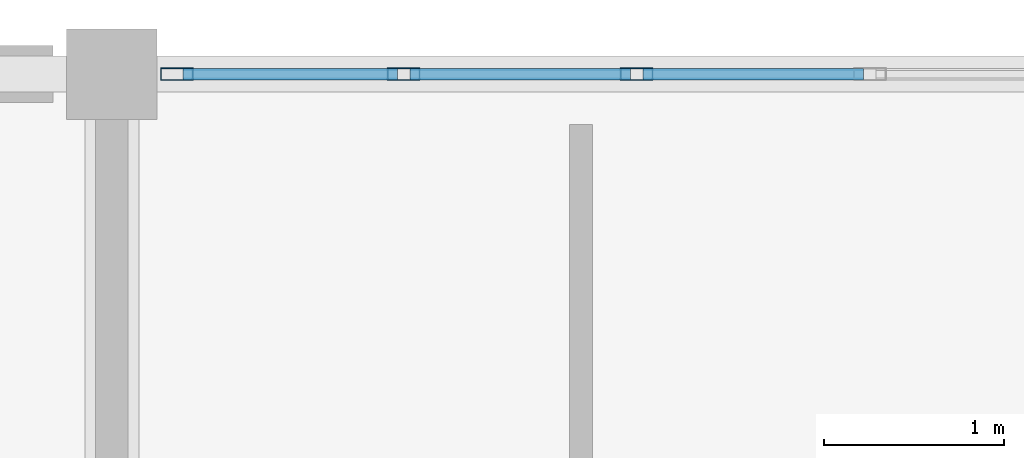
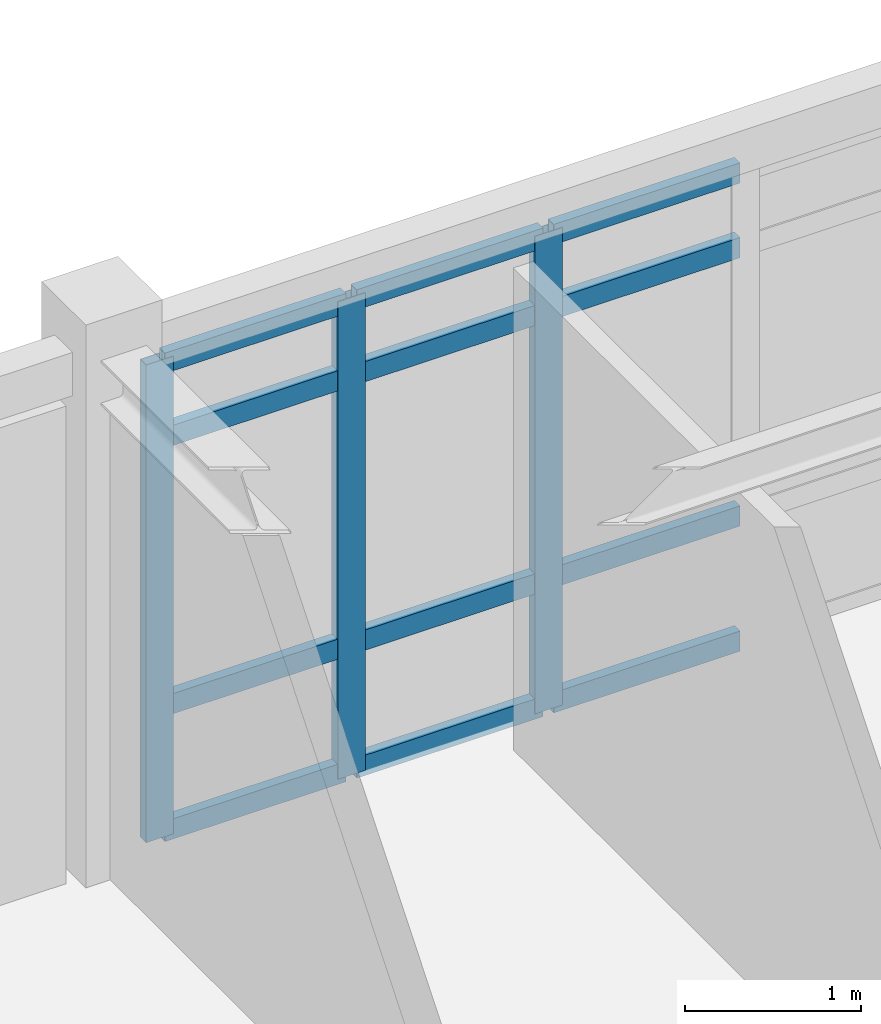
# One storey, part 33 of 70: 15 members, 1 element without a shape of its own.
"""IFC4 building model written with IfcOpenShell, lengths in metres."""

from ifc_helpers import new_model, si_unit, direction, frame, origin, origin_2d, place, context, subcontext, project, spatial, hollow_rectangle, extrude, material, layer, layer_set, material_profile, profile_set, type_object, element, aggregate, save


model = new_model("IFC4")

# Units and contexts
model_context = context("Model", 3, precision=1e-05, world=origin(), true_north=direction((0.0, 1.0)))
body_context = subcontext(model_context, "Body", "Model", "MODEL_VIEW")
ifc_project = project(units=[si_unit("LENGTHUNIT", "METRE"), si_unit("AREAUNIT", "SQUARE_METRE"), si_unit("VOLUMEUNIT", "CUBIC_METRE"), si_unit("PLANEANGLEUNIT", "RADIAN"), si_unit("MASSUNIT", "GRAM", prefix="KILO")], contexts=[model_context])

# Site, building, storey
site_placement = place(None, origin())
site = spatial("IfcSite", under=ifc_project, at=site_placement, CompositionType="ELEMENT")
building_placement = place(site_placement, origin())
building = spatial("IfcBuilding", under=site, at=building_placement, Name="Bramfleet General Hospital", CompositionType="ELEMENT")
storey_placement = place(building_placement, frame((0.0, 0.0, 22.5)))
storey = spatial("IfcBuildingStorey", under=building, at=storey_placement, Name="L05", CompositionType="ELEMENT", Elevation=22.5)

# Curtain wall, members
ifc_material_1 = material(Name="Anodised aluminium and low-E triple glazing", Category="aluminium")
ifc_layer = layer(ifc_material_1, 0.179931640625, Name="CWT-CW-06")
ifc_layer_set = layer_set([ifc_layer], Name="Anodised aluminium and low-E triple glazing")
curtain_wall_type = type_object("IfcCurtainWallType", Name="CWT-CW-06", PredefinedType="USERDEFINED", material=ifc_layer_set)
curtain_wall_placement = place(storey_placement, origin())
curtain_wall = element("IfcCurtainWall", 1, at=curtain_wall_placement, inside=storey, type_object=curtain_wall_type, Name="L05 Curtain Wall 204", ObjectType="Unitised curtain wall", PredefinedType="USERDEFINED")
ifc_material_2 = material(Name="Anodised aluminium EN AW-6060", Category="aluminium")
ifc_material_profile_1 = material_profile(ifc_material_2, hollow_rectangle(XDim=0.070068359375, YDim=0.179931640625, WallThickness=0.00390625, at=origin_2d()), Name="ALU 180x70x4.0")
ifc_profile_set_1 = profile_set([ifc_material_profile_1], Name="Anodised aluminium EN AW-6060")
member_type_1 = type_object("IfcMemberType", Name="CWM-ALU180", PredefinedType="MULLION", material=ifc_profile_set_1)
member_1_placement = place(storey_placement, frame((134.760009765625, 117.60009765625, 0.0), z_axis=(0.0, 0.0, 1.0), x_axis=(0.0, 1.0, 0.0)))
member_1 = element("IfcMember", 2, at=member_1_placement, type_object=member_type_1, Name="CW-06 mullion 1", PredefinedType="MULLION", context=body_context, shape_type="SweptSolid", body=[
    extrude(hollow_rectangle(XDim=0.070068359375, YDim=0.179931640625, WallThickness=0.00390625, at=origin_2d()), origin(), (0.0, 0.0, 1.0), 3.31005859375),
])
member_2_placement = place(storey_placement, frame((136.0166015625, 117.60009765625, 0.0), z_axis=(0.0, 0.0, 1.0), x_axis=(0.0, 1.0, 0.0)))
member_2 = element("IfcMember", 3, at=member_2_placement, type_object=member_type_1, Name="CW-06 mullion 2", PredefinedType="MULLION", context=body_context, shape_type="SweptSolid", body=[
    extrude(hollow_rectangle(XDim=0.070068359375, YDim=0.179931640625, WallThickness=0.00390625, at=origin_2d()), origin(), (0.0, 0.0, 1.0), 3.31005859375),
])
member_3_placement = place(storey_placement, frame((137.308349609375, 117.60009765625, 0.0), z_axis=(0.0, 0.0, 1.0), x_axis=(0.0, 1.0, 0.0)))
member_3 = element("IfcMember", 4, at=member_3_placement, type_object=member_type_1, Name="CW-06 mullion 3", PredefinedType="MULLION", context=body_context, shape_type="SweptSolid", body=[
    extrude(hollow_rectangle(XDim=0.070068359375, YDim=0.179931640625, WallThickness=0.00390625, at=origin_2d()), origin(), (0.0, 0.0, 1.0), 3.31005859375),
])
ifc_material_profile_2 = material_profile(ifc_material_2, hollow_rectangle(XDim=0.06494140625, YDim=0.139892578125, WallThickness=0.00390625, at=origin_2d()), Name="ALU 140x65x4.0")
ifc_profile_set_2 = profile_set([ifc_material_profile_2], Name="Anodised aluminium EN AW-6060")
member_type_2 = type_object("IfcMemberType", Name="CWT-ALU140", PredefinedType="USERDEFINED", material=ifc_profile_set_2)
member_4_placement = place(storey_placement, frame((134.794921875, 117.60009765625, 0.032470703125), z_axis=(1.0, 0.0, 0.0), x_axis=(0.0, 1.0, 0.0)))
member_4 = element("IfcMember", 5, at=member_4_placement, type_object=member_type_2, Name="CW-06 transom 1.1", ObjectType="TRANSOM", PredefinedType="USERDEFINED", context=body_context, shape_type="SweptSolid", body=[
    extrude(hollow_rectangle(XDim=0.06494140625, YDim=0.139892578125, WallThickness=0.00390625, at=origin_2d()), origin(), (0.0, 0.0, 1.0), 1.186767578125),
])
member_5_placement = place(storey_placement, frame((134.794921875, 117.60009765625, 0.89990234375), z_axis=(1.0, 0.0, 0.0), x_axis=(0.0, 1.0, 0.0)))
member_5 = element("IfcMember", 6, at=member_5_placement, type_object=member_type_2, Name="CW-06 transom 1.2", ObjectType="TRANSOM", PredefinedType="USERDEFINED", context=body_context, shape_type="SweptSolid", body=[
    extrude(hollow_rectangle(XDim=0.06494140625, YDim=0.139892578125, WallThickness=0.00390625, at=origin_2d()), origin(), (0.0, 0.0, 1.0), 1.186767578125),
])
member_6_placement = place(storey_placement, frame((134.794921875, 117.60009765625, 2.760009765625), z_axis=(1.0, 0.0, 0.0), x_axis=(0.0, 1.0, 0.0)))
member_6 = element("IfcMember", 7, at=member_6_placement, type_object=member_type_2, Name="CW-06 transom 1.3", ObjectType="TRANSOM", PredefinedType="USERDEFINED", context=body_context, shape_type="SweptSolid", body=[
    extrude(hollow_rectangle(XDim=0.06494140625, YDim=0.139892578125, WallThickness=0.00390625, at=origin_2d()), origin(), (0.0, 0.0, 1.0), 1.186767578125),
])
member_7_placement = place(storey_placement, frame((134.794921875, 117.60009765625, 3.277587890625), z_axis=(1.0, 0.0, 0.0), x_axis=(0.0, 1.0, 0.0)))
member_7 = element("IfcMember", 8, at=member_7_placement, type_object=member_type_2, Name="CW-06 transom 1.4", ObjectType="TRANSOM", PredefinedType="USERDEFINED", context=body_context, shape_type="SweptSolid", body=[
    extrude(hollow_rectangle(XDim=0.06494140625, YDim=0.139892578125, WallThickness=0.00390625, at=origin_2d()), origin(), (0.0, 0.0, 1.0), 1.186767578125),
])
member_8_placement = place(storey_placement, frame((136.0517578125, 117.60009765625, 0.032470703125), z_axis=(1.0, 0.0, 0.0), x_axis=(0.0, 1.0, 0.0)))
member_8 = element("IfcMember", 9, at=member_8_placement, type_object=member_type_2, Name="CW-06 transom 2.1", ObjectType="TRANSOM", PredefinedType="USERDEFINED", context=body_context, shape_type="SweptSolid", body=[
    extrude(hollow_rectangle(XDim=0.06494140625, YDim=0.139892578125, WallThickness=0.00390625, at=origin_2d()), origin(), (0.0, 0.0, 1.0), 1.2216796875),
])
member_9_placement = place(storey_placement, frame((136.0517578125, 117.60009765625, 0.89990234375), z_axis=(1.0, 0.0, 0.0), x_axis=(0.0, 1.0, 0.0)))
member_9 = element("IfcMember", 10, at=member_9_placement, type_object=member_type_2, Name="CW-06 transom 2.2", ObjectType="TRANSOM", PredefinedType="USERDEFINED", context=body_context, shape_type="SweptSolid", body=[
    extrude(hollow_rectangle(XDim=0.06494140625, YDim=0.139892578125, WallThickness=0.00390625, at=origin_2d()), origin(), (0.0, 0.0, 1.0), 1.2216796875),
])
member_10_placement = place(storey_placement, frame((136.0517578125, 117.60009765625, 2.760009765625), z_axis=(1.0, 0.0, 0.0), x_axis=(0.0, 1.0, 0.0)))
member_10 = element("IfcMember", 11, at=member_10_placement, type_object=member_type_2, Name="CW-06 transom 2.3", ObjectType="TRANSOM", PredefinedType="USERDEFINED", context=body_context, shape_type="SweptSolid", body=[
    extrude(hollow_rectangle(XDim=0.06494140625, YDim=0.139892578125, WallThickness=0.00390625, at=origin_2d()), origin(), (0.0, 0.0, 1.0), 1.2216796875),
])
member_11_placement = place(storey_placement, frame((136.0517578125, 117.60009765625, 3.277587890625), z_axis=(1.0, 0.0, 0.0), x_axis=(0.0, 1.0, 0.0)))
member_11 = element("IfcMember", 12, at=member_11_placement, type_object=member_type_2, Name="CW-06 transom 2.4", ObjectType="TRANSOM", PredefinedType="USERDEFINED", context=body_context, shape_type="SweptSolid", body=[
    extrude(hollow_rectangle(XDim=0.06494140625, YDim=0.139892578125, WallThickness=0.00390625, at=origin_2d()), origin(), (0.0, 0.0, 1.0), 1.2216796875),
])
member_12_placement = place(storey_placement, frame((137.34326171875, 117.60009765625, 0.032470703125), z_axis=(1.0, 0.0, 0.0), x_axis=(0.0, 1.0, 0.0)))
member_12 = element("IfcMember", 13, at=member_12_placement, type_object=member_type_2, Name="CW-06 transom 3.1", ObjectType="TRANSOM", PredefinedType="USERDEFINED", context=body_context, shape_type="SweptSolid", body=[
    extrude(hollow_rectangle(XDim=0.06494140625, YDim=0.139892578125, WallThickness=0.00390625, at=origin_2d()), origin(), (0.0, 0.0, 1.0), 1.2216796875),
])
member_13_placement = place(storey_placement, frame((137.34326171875, 117.60009765625, 0.89990234375), z_axis=(1.0, 0.0, 0.0), x_axis=(0.0, 1.0, 0.0)))
member_13 = element("IfcMember", 14, at=member_13_placement, type_object=member_type_2, Name="CW-06 transom 3.2", ObjectType="TRANSOM", PredefinedType="USERDEFINED", context=body_context, shape_type="SweptSolid", body=[
    extrude(hollow_rectangle(XDim=0.06494140625, YDim=0.139892578125, WallThickness=0.00390625, at=origin_2d()), origin(), (0.0, 0.0, 1.0), 1.2216796875),
])
member_14_placement = place(storey_placement, frame((137.34326171875, 117.60009765625, 2.760009765625), z_axis=(1.0, 0.0, 0.0), x_axis=(0.0, 1.0, 0.0)))
member_14 = element("IfcMember", 15, at=member_14_placement, type_object=member_type_2, Name="CW-06 transom 3.3", ObjectType="TRANSOM", PredefinedType="USERDEFINED", context=body_context, shape_type="SweptSolid", body=[
    extrude(hollow_rectangle(XDim=0.06494140625, YDim=0.139892578125, WallThickness=0.00390625, at=origin_2d()), origin(), (0.0, 0.0, 1.0), 1.2216796875),
])
member_15_placement = place(storey_placement, frame((137.34326171875, 117.60009765625, 3.277587890625), z_axis=(1.0, 0.0, 0.0), x_axis=(0.0, 1.0, 0.0)))
member_15 = element("IfcMember", 16, at=member_15_placement, type_object=member_type_2, Name="CW-06 transom 3.4", ObjectType="TRANSOM", PredefinedType="USERDEFINED", context=body_context, shape_type="SweptSolid", body=[
    extrude(hollow_rectangle(XDim=0.06494140625, YDim=0.139892578125, WallThickness=0.00390625, at=origin_2d()), origin(), (0.0, 0.0, 1.0), 1.2216796875),
])
aggregate(curtain_wall, [member_1, member_2, member_3, member_4, member_5, member_6, member_7, member_8, member_9, member_10, member_11, member_12, member_13, member_14, member_15])

save(model, "model.ifc")
